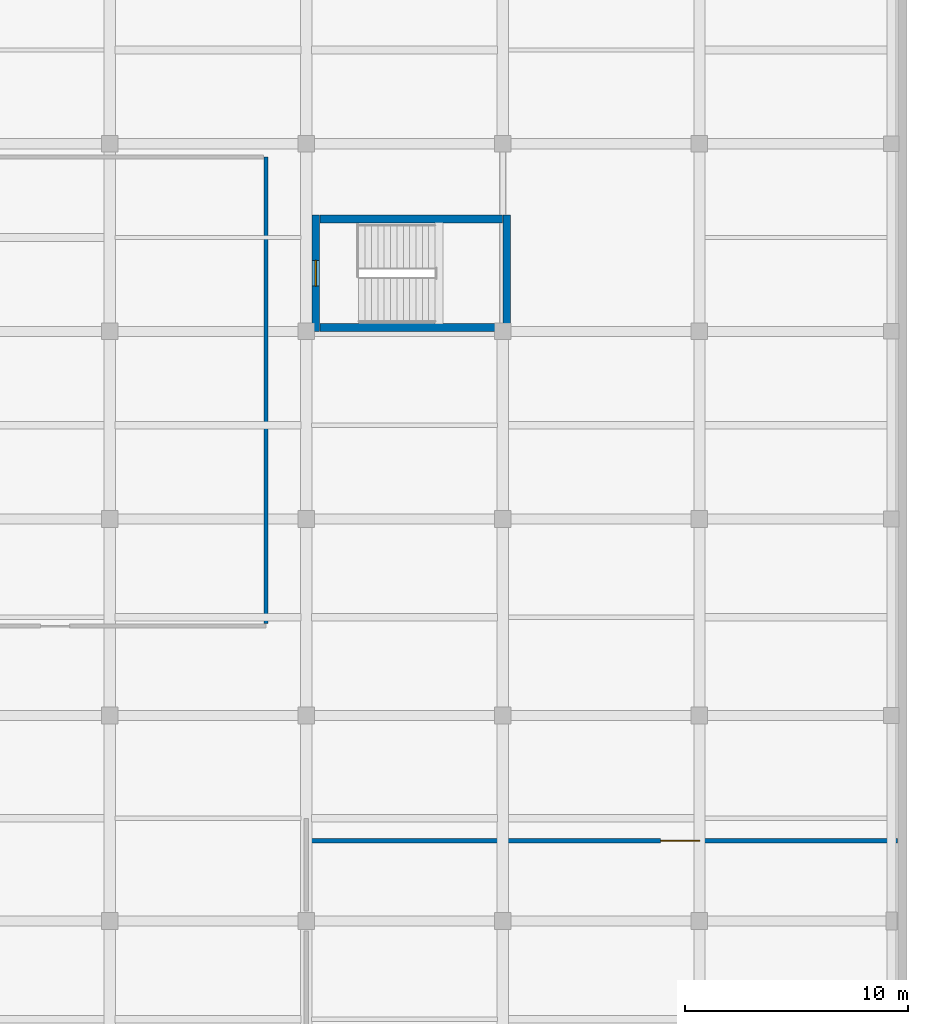
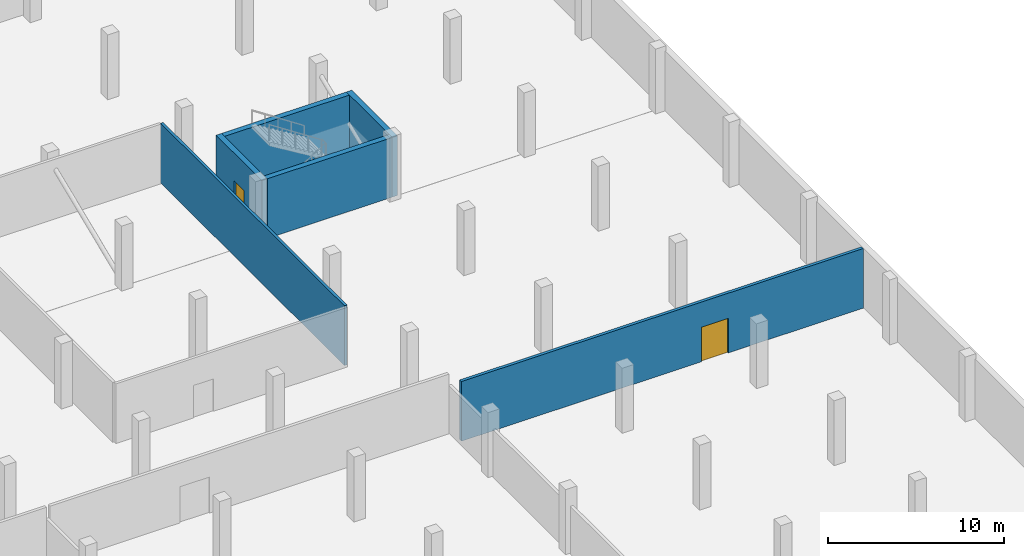
# One storey, part 26 of 31: 6 walls, 2 doors, 2 openings.
"""IFC4 building model written with IfcOpenShell, lengths in metres."""

from ifc_helpers import new_model, si_unit, direction, frame, frame_2d, origin, place, context, subcontext, project, spatial, rectangle, extrude, material, layer, layer_set, type_object, element, fill, save


model = new_model("IFC4")

# Units and contexts
model_context = context("Model", 3, precision=1e-05, world=origin(), true_north=direction((0.0, 1.0)))
body_context = subcontext(model_context, "Body", "Model", "MODEL_VIEW")
ifc_project = project(units=[si_unit("LENGTHUNIT", "METRE"), si_unit("AREAUNIT", "SQUARE_METRE"), si_unit("VOLUMEUNIT", "CUBIC_METRE"), si_unit("PLANEANGLEUNIT", "RADIAN"), si_unit("MASSUNIT", "GRAM", prefix="KILO")], contexts=[model_context])

# Site, building, storey
site_placement = place(None, origin())
site = spatial("IfcSite", under=ifc_project, at=site_placement, CompositionType="ELEMENT")
building_placement = place(site_placement, origin())
building = spatial("IfcBuilding", under=site, at=building_placement, Name="Meriwether Solvik Hall", CompositionType="ELEMENT")
storey_placement = place(building_placement, frame((0.0, 0.0, -4.5)))
storey = spatial("IfcBuildingStorey", under=building, at=storey_placement, Name="B01", CompositionType="ELEMENT", Elevation=-4.5)

# Wall
ifc_material_1 = material(Name="Fire-Rated Type X Gypsum Board", Category="gypsum")
ifc_layer_1 = layer(ifc_material_1, 0.175048828125)
ifc_layer_set_1 = layer_set([ifc_layer_1], Name="Fire-Rated Type X Gypsum Board")
wall_type_1 = type_object("IfcWallType", Name="WALL-CORR-175", PredefinedType="PARTITIONING", material=ifc_layer_set_1)
wall_1_placement = place(storey_placement, frame((138.800048828125, 45.320068359375, 0.0), z_axis=(0.0, 0.0, 1.0), x_axis=(0.0, 1.0, 0.0)))
element("IfcWall", 1, at=wall_1_placement, inside=storey, type_object=wall_type_1, Name="B01 Interior Partition jan_b01_e", PredefinedType="PARTITIONING", context=body_context, shape_type="SweptSolid", body=[
    extrude(rectangle(XDim=20.8798828125, YDim=0.175048828125, at=frame_2d((10.43994140625, 0.0))), origin(), (0.0, 0.0, 1.0), 4.139892578125),
])

# Wall, opening, door
ifc_material_2 = material(Name="Fire-Rated Type X Gypsum Board", Category="gypsum")
ifc_layer_2 = layer(ifc_material_2, 0.199951171875)
ifc_layer_set_2 = layer_set([ifc_layer_2], Name="Fire-Rated Type X Gypsum Board")
wall_type_2 = type_object("IfcWallType", Name="WALL-FIRE-200", PredefinedType="STANDARD", material=ifc_layer_set_2)
wall_2_placement = place(storey_placement, frame((167.080078125, 35.60009765625, 0.0), z_axis=(0.0, 0.0, 1.0), x_axis=(-1.0, 0.0, 0.0)))
wall_2 = element("IfcWall", 2, at=wall_2_placement, inside=storey, type_object=wall_type_2, Name="B01 Interior Partition waste_n", PredefinedType="STANDARD", context=body_context, shape_type="SweptSolid", body=[
    extrude(rectangle(XDim=26.360107421875, YDim=0.199951171875, at=frame_2d((13.18017578125, 0.0))), origin(), (0.0, 0.0, 1.0), 4.139892578125),
])
opening_1_placement = place(wall_2_placement, frame((8.8642578125, 0.0, 0.0)))
opening_1 = element("IfcOpeningElement", 3, at=opening_1_placement, cuts=wall_2, Name="Opening D-159", PredefinedType="OPENING", context=body_context, shape_type="SweptSolid", body=[
    extrude(rectangle(XDim=1.75, YDim=2.39990234375, at=frame_2d((0.875, 1.199951171875))), frame((0.0, 0.11181640625, 0.0), z_axis=(0.0, -1.0, 0.0), x_axis=(1.0, 0.0, 0.0)), (0.0, 0.0, 1.0), 0.223876953125),
])
ifc_material_3 = material(Name="Steel A36 Galvanised", Category="steel")
door_type_1 = type_object("IfcDoorType", Name="DR-FD90-1750", OperationType="DOUBLE_DOOR_SINGLE_SWING", PredefinedType="DOOR", material=ifc_material_3)
door_1_placement = place(opening_1_placement, origin())
door_1 = element("IfcDoor", 4, at=door_1_placement, inside=storey, type_object=door_type_1, Name="Solid Waste and Recycling Loading Room Door", OperationType="DOUBLE_DOOR_SINGLE_SWING", OverallHeight=2.39990234375, OverallWidth=1.75, PredefinedType="DOOR", context=body_context, shape_type="SweptSolid", body=[
    extrude(rectangle(XDim=1.75, YDim=2.39990234375, at=frame_2d((0.875, 1.199951171875))), frame((0.0, 0.02490234375, 0.0), z_axis=(0.0, -1.0, 0.0), x_axis=(1.0, 0.0, 0.0)), (0.0, 0.0, 1.0), 0.050048828125),
])
fill(opening_1, door_1)

ifc_material_4 = material(Name="Concrete C40/50", Category="concrete")
ifc_layer_3 = layer(ifc_material_4, 0.35009765625)
ifc_layer_set_3 = layer_set([ifc_layer_3], Name="Concrete C40/50")
wall_type_3 = type_object("IfcWallType", Name="WALL-RC-350", PredefinedType="SHEAR", material=ifc_layer_set_3)
wall_3_placement = place(storey_placement, frame((141.02490234375, 63.60009765625, 0.0), z_axis=(0.0, 0.0, 1.0), x_axis=(0.0, -1.0, 0.0)))
wall_3 = element("IfcWall", 5, at=wall_3_placement, inside=storey, type_object=wall_type_3, Name="CORE-5 Shear Wall W (B01)", PredefinedType="SHEAR", context=body_context, shape_type="SweptSolid", body=[
    extrude(rectangle(XDim=5.2001953125, YDim=0.35009765625, at=frame_2d((2.60009765625, 0.0))), origin(), (0.0, 0.0, 1.0), 4.139892578125),
])
opening_2_placement = place(wall_3_placement, frame((2.02490234375, 0.0, 0.0)))
opening_2 = element("IfcOpeningElement", 6, at=opening_2_placement, cuts=wall_3, Name="Opening D-148", PredefinedType="OPENING", context=body_context, shape_type="SweptSolid", body=[
    extrude(rectangle(XDim=1.14990234375, YDim=2.199951171875, at=frame_2d((0.574951171875, 1.10009765625))), frame((0.0, 0.18701171875, 0.0), z_axis=(0.0, -1.0, 0.0), x_axis=(1.0, 0.0, 0.0)), (0.0, 0.0, 1.0), 0.3740234375),
])
ifc_material_5 = material(Name="Steel A36 Galvanised", Category="steel")
door_type_2 = type_object("IfcDoorType", Name="DR-FD90-1150R", OperationType="SINGLE_SWING_RIGHT", PredefinedType="DOOR", material=ifc_material_5)
door_2_placement = place(opening_2_placement, origin())
door_2 = element("IfcDoor", 7, at=door_2_placement, inside=storey, type_object=door_type_2, Name="Stair ST-05 Smokeproof Exit Door (B01)", OperationType="SINGLE_SWING_RIGHT", OverallHeight=2.199951171875, OverallWidth=1.14990234375, PredefinedType="DOOR", context=body_context, shape_type="SweptSolid", body=[
    extrude(rectangle(XDim=1.14990234375, YDim=2.199951171875, at=frame_2d((0.574951171875, 1.10009765625))), frame((0.0, 0.02490234375, 0.0), z_axis=(0.0, -1.0, 0.0), x_axis=(1.0, 0.0, 0.0)), (0.0, 0.0, 1.0), 0.050048828125),
])
fill(opening_2, door_2)

# Walls
wall_4_placement = place(storey_placement, frame((149.574951171875, 58.39990234375, 0.0), z_axis=(0.0, 0.0, 1.0), x_axis=(0.0, 1.0, 0.0)))
element("IfcWall", 8, at=wall_4_placement, inside=storey, type_object=wall_type_3, Name="CORE-5 Shear Wall E (B01)", PredefinedType="SHEAR", context=body_context, shape_type="SweptSolid", body=[
    extrude(rectangle(XDim=5.2001953125, YDim=0.35009765625, at=frame_2d((2.60009765625, 0.0))), origin(), (0.0, 0.0, 1.0), 4.139892578125),
])
for number, where, z_axis, x_axis, name in (
    (9, (141.2099609375, 58.574951171875, 0.0), (0.0, 0.0, 1.0), (1.0, 0.0, 0.0), "CORE-5 Shear Wall S (B01)"),
    (10, (149.389892578125, 63.425048828125, 0.0), (0.0, 0.0, 1.0), (-1.0, 0.0, 0.0), "CORE-5 Shear Wall N (B01)"),
):
    element("IfcWall", number, at=place(storey_placement, frame(where, z_axis=z_axis, x_axis=x_axis)), inside=storey, type_object=wall_type_3, Name=name, PredefinedType="SHEAR", context=body_context, shape_type="SweptSolid", body=[
        extrude(rectangle(XDim=8.179931640625, YDim=0.35009765625, at=frame_2d((4.08984375, 0.0))), origin(), (0.0, 0.0, 1.0), 4.139892578125),
    ])

save(model, "model.ifc")
